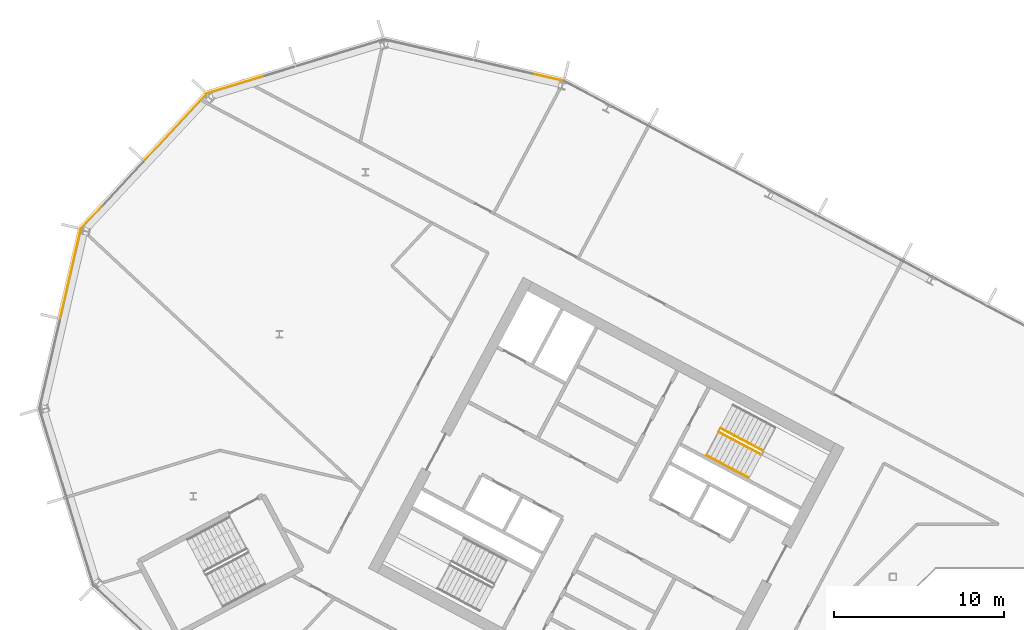
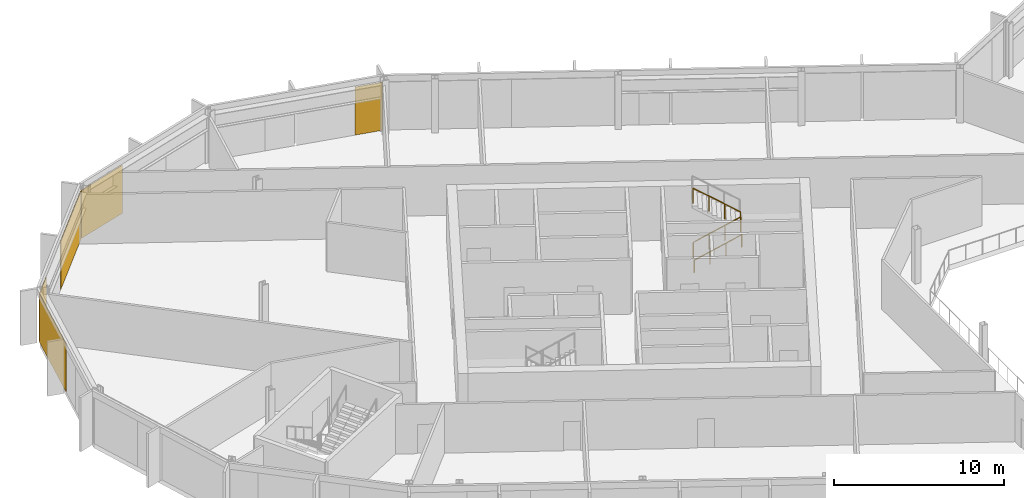
# One storey, part 21 of 26: 5 coverings, 3 railings, 4 elements without a shape of their own.
"""IFC4 building model written with IfcOpenShell, lengths in metres."""

from ifc_helpers import new_model, si_unit, direction, frame, origin, origin_2d, place, context, subcontext, project, spatial, polyline, rectangle, outline, extrude, material, layer, layer_set, type_object, element, aggregate, save


model = new_model("IFC4")

# Units and contexts
model_context = context("Model", 3, precision=1e-05, world=origin(), true_north=direction((0.0, 1.0)))
body_context = subcontext(model_context, "Body", "Model", "MODEL_VIEW")
ifc_project = project(units=[si_unit("LENGTHUNIT", "METRE"), si_unit("AREAUNIT", "SQUARE_METRE"), si_unit("VOLUMEUNIT", "CUBIC_METRE"), si_unit("PLANEANGLEUNIT", "RADIAN"), si_unit("MASSUNIT", "GRAM", prefix="KILO")], contexts=[model_context])

# Site, building, storey
site_placement = place(None, origin())
site = spatial("IfcSite", under=ifc_project, at=site_placement, CompositionType="ELEMENT")
building_placement = place(site_placement, origin())
building = spatial("IfcBuilding", under=site, at=building_placement, Name="Cormorant Relay Tower", CompositionType="ELEMENT")
storey_placement = place(building_placement, frame((0.0, 0.0, 228.60009765625)))
storey = spatial("IfcBuildingStorey", under=building, at=storey_placement, Name="L50", CompositionType="ELEMENT", Elevation=228.60009765625)

# Curtain wall, covering
ifc_material_1 = material(Name="Aluminium 6063-T6 anodised bronze", Category="aluminium")
ifc_layer_1 = layer(ifc_material_1, 0.199951171875)
ifc_layer_set_1 = layer_set([ifc_layer_1], Name="CW1 unitised bronze curtain wall with vertical fins")
curtain_wall_type = type_object("IfcCurtainWallType", Name="CW1 unitised bronze curtain wall with vertical fins", PredefinedType="NOTDEFINED", material=ifc_layer_set_1)
curtain_wall_1_placement = place(storey_placement, origin())
curtain_wall_1 = element("IfcCurtainWall", 1, at=curtain_wall_1_placement, inside=storey, type_object=curtain_wall_type, Name="CW1 curtain wall 10", PredefinedType="NOTDEFINED")
ifc_material_2 = material(Name="Pale bronze anodised aluminium insulated panel", Category="aluminium")
ifc_layer_2 = layer(ifc_material_2, 0.0400390625)
ifc_layer_set_2 = layer_set([ifc_layer_2], Name="CW1 pale bronze insulated panel 40")
covering_type = type_object("IfcCoveringType", Name="CW1 pale bronze insulated panel 40", PredefinedType="CLADDING", material=ifc_layer_set_2)
covering_1_placement = place(storey_placement, frame((-30.76318359375, 39.89404296875, 0.0), z_axis=(0.0, 0.0, 1.0), x_axis=(-0.974370064785, 0.224951054344, 0.0)))
covering_1 = element("IfcCovering", 2, at=covering_1_placement, type_object=covering_type, Name="CW1 panel S00", PredefinedType="CLADDING", context=body_context, shape_type="SweptSolid", body=[
    extrude(rectangle(XDim=1.685302734375, YDim=0.0400390625, at=origin_2d()), origin(), (0.0, 0.0, 1.0), 3.449951171875),
])
aggregate(curtain_wall_1, [covering_1])

curtain_wall_2_placement = place(storey_placement, origin())
curtain_wall_2 = element("IfcCurtainWall", 3, at=curtain_wall_2_placement, inside=storey, type_object=curtain_wall_type, Name="CW1 curtain wall 11", PredefinedType="NOTDEFINED")
covering_2_placement = place(storey_placement, frame((-49.16455078125, 39.474853515625, 0.0), z_axis=(0.0, 0.0, 1.0), x_axis=(-0.956304755963, -0.292371704723, 0.0)))
covering_2 = element("IfcCovering", 4, at=covering_2_placement, type_object=covering_type, Name="CW1 panel S03", PredefinedType="CLADDING", context=body_context, shape_type="SweptSolid", body=[
    extrude(rectangle(XDim=3.560302734375, YDim=0.0400390625, at=origin_2d()), origin(), (0.0, 0.0, 1.0), 3.449951171875),
])
aggregate(curtain_wall_2, [covering_2])

# Curtain wall, coverings
curtain_wall_3_placement = place(storey_placement, origin())
curtain_wall_3 = element("IfcCurtainWall", 5, at=curtain_wall_3_placement, inside=storey, type_object=curtain_wall_type, Name="CW1 curtain wall 12", PredefinedType="NOTDEFINED")
covering_3_placement = place(storey_placement, frame((-52.72900390625, 36.961181640625, 0.0), z_axis=(0.0, 0.0, 1.0), x_axis=(-0.681998360062, -0.731353701619, 0.0)))
covering_3 = element("IfcCovering", 6, at=covering_3_placement, type_object=covering_type, Name="CW1 panel S00", PredefinedType="CLADDING", context=body_context, shape_type="SweptSolid", body=[
    extrude(rectangle(XDim=5.28515625, YDim=0.0400390625, at=origin_2d()), origin(), (0.0, 0.0, 1.0), 3.449951171875),
])
covering_4_placement = place(storey_placement, frame((-57.68896484375, 31.642333984375, 0.0), z_axis=(0.0, 0.0, 1.0), x_axis=(-0.681998360062, -0.731353701619, 0.0)))
covering_4 = element("IfcCovering", 7, at=covering_4_placement, type_object=covering_type, Name="CW1 panel S02", PredefinedType="CLADDING", context=body_context, shape_type="SweptSolid", body=[
    extrude(rectangle(XDim=1.76025390625, YDim=0.0400390625, at=origin_2d()), origin(), (0.0, 0.0, 1.0), 3.449951171875),
])
aggregate(curtain_wall_3, [covering_3, covering_4])

# Curtain wall, covering
curtain_wall_4_placement = place(storey_placement, origin())
curtain_wall_4 = element("IfcCurtainWall", 8, at=curtain_wall_4_placement, inside=storey, type_object=curtain_wall_type, Name="CW1 curtain wall 13", PredefinedType="NOTDEFINED")
covering_5_placement = place(storey_placement, frame((-58.905517578125, 28.341796875, 0.0), z_axis=(0.0, 0.0, 1.0), x_axis=(-0.224951054344, -0.974370064785, 0.0)))
covering_5 = element("IfcCovering", 9, at=covering_5_placement, type_object=covering_type, Name="CW1 panel S00", PredefinedType="CLADDING", context=body_context, shape_type="SweptSolid", body=[
    extrude(rectangle(XDim=5.28515625, YDim=0.0400390625, at=origin_2d()), origin(), (0.0, 0.0, 1.0), 3.449951171875),
])
aggregate(curtain_wall_4, [covering_5])

# Railings
ifc_material_3 = material(Name="Steel ASTM A572 Grade 50 (Fy 345 MPa)", Category="steel")
railing_type_1 = type_object("IfcRailingType", Name="Stair guard 1100", PredefinedType="GUARDRAIL", material=ifc_material_3)
railing_1_placement = place(storey_placement, frame((-20.75048828125, 19.017822265625, 0.17724609375)))
element("IfcRailing", 10, at=railing_1_placement, inside=storey, type_object=railing_type_1, Name="L50 A1 stair guard 1", PredefinedType="GUARDRAIL", context=body_context, shape_type="SweptSolid", body=[
    extrude(outline(polyline([(0.022216796875, 0.00927734375), (0.00927734375, 0.022216796875), (-0.00927734375, 0.022216796875), (-0.022216796875, 0.00927734375), (-0.022216796875, -0.00927734375), (-0.00927734375, -0.022216796875), (0.00927734375, -0.022216796875), (0.022216796875, -0.00927734375), (0.022216796875, 0.00927734375)])), frame((0.0, 0.0, 1.076171875), z_axis=(0.746001213114, -0.396649272309, 0.534931345884), x_axis=(0.469465464807, 0.882950835185, 0.0)), (0.0, 0.0, 1.0), 3.31396484375),
    extrude(outline(polyline([(0.019287109375, 0.008056640625), (0.008056640625, 0.019287109375), (-0.008056640625, 0.019287109375), (-0.019287109375, 0.008056640625), (-0.019287109375, -0.008056640625), (-0.008056640625, -0.019287109375), (0.008056640625, -0.019287109375), (0.019287109375, -0.008056640625), (0.019287109375, 0.008056640625)])), origin(), (0.0, 0.0, 1.0), 1.052001953125),
    extrude(outline(polyline([(0.019287109375, 0.008056640625), (0.008056640625, 0.019287109375), (-0.008056640625, 0.019287109375), (-0.019287109375, 0.008056640625), (-0.019287109375, -0.008056640625), (-0.008056640625, -0.019287109375), (0.008056640625, -0.019287109375), (0.019287109375, -0.008056640625), (0.019287109375, 0.008056640625)])), frame((0.823974609375, -0.438232421875, 0.5908203125)), (0.0, 0.0, 1.0), 1.052001953125),
    extrude(outline(polyline([(0.019287109375, 0.008056640625), (0.008056640625, 0.019287109375), (-0.008056640625, 0.019287109375), (-0.019287109375, 0.008056640625), (-0.019287109375, -0.008056640625), (-0.008056640625, -0.019287109375), (0.008056640625, -0.019287109375), (0.019287109375, -0.008056640625), (0.019287109375, 0.008056640625)])), frame((1.648193359375, -0.876220703125, 1.181884765625)), (0.0, 0.0, 1.0), 1.052001953125),
    extrude(outline(polyline([(0.019287109375, 0.008056640625), (0.008056640625, 0.019287109375), (-0.008056640625, 0.019287109375), (-0.019287109375, 0.008056640625), (-0.019287109375, -0.008056640625), (-0.008056640625, -0.019287109375), (0.008056640625, -0.019287109375), (0.019287109375, -0.008056640625), (0.019287109375, 0.008056640625)])), frame((2.47216796875, -1.314453125, 1.772705078125)), (0.0, 0.0, 1.0), 1.052001953125),
])
railing_2_placement = place(storey_placement, frame((-18.160888671875, 17.924072265625, 2.127197265625)))
element("IfcRailing", 11, at=railing_2_placement, inside=storey, type_object=railing_type_1, Name="L50 A1 stair guard 3", PredefinedType="GUARDRAIL", context=body_context, shape_type="SweptSolid", body=[
    extrude(outline(polyline([(0.022216796875, 0.00927734375), (0.00927734375, 0.022216796875), (-0.00927734375, 0.022216796875), (-0.022216796875, 0.00927734375), (-0.022216796875, -0.00927734375), (-0.00927734375, -0.022216796875), (0.00927734375, -0.022216796875), (0.022216796875, -0.00927734375), (0.022216796875, 0.00927734375)])), frame((0.0, 0.0, 1.076171875), z_axis=(-0.746033882577, 0.396627473466, 0.534901947407), x_axis=(-0.469429322983, -0.882970050864, 0.0)), (0.0, 0.0, 1.0), 3.31396484375),
    extrude(outline(polyline([(0.019287109375, 0.008056640625), (0.008056640625, 0.019287109375), (-0.008056640625, 0.019287109375), (-0.019287109375, 0.008056640625), (-0.019287109375, -0.008056640625), (-0.008056640625, -0.019287109375), (0.008056640625, -0.019287109375), (0.019287109375, -0.008056640625), (0.019287109375, 0.008056640625)])), origin(), (0.0, 0.0, 1.0), 1.052001953125),
    extrude(outline(polyline([(0.019287109375, 0.008056640625), (0.008056640625, 0.019287109375), (-0.008056640625, 0.019287109375), (-0.019287109375, 0.008056640625), (-0.019287109375, -0.008056640625), (-0.008056640625, -0.019287109375), (0.008056640625, -0.019287109375), (0.019287109375, -0.008056640625), (0.019287109375, 0.008056640625)])), frame((-0.82421875, 0.438232421875, 0.5908203125)), (0.0, 0.0, 1.0), 1.052001953125),
    extrude(outline(polyline([(0.019287109375, 0.008056640625), (0.008056640625, 0.019287109375), (-0.008056640625, 0.019287109375), (-0.019287109375, 0.008056640625), (-0.019287109375, -0.008056640625), (-0.008056640625, -0.019287109375), (0.008056640625, -0.019287109375), (0.019287109375, -0.008056640625), (0.019287109375, 0.008056640625)])), frame((-1.648193359375, 0.876220703125, 1.181884765625)), (0.0, 0.0, 1.0), 1.052001953125),
    extrude(outline(polyline([(0.019287109375, 0.008056640625), (0.008056640625, 0.019287109375), (-0.008056640625, 0.019287109375), (-0.019287109375, 0.008056640625), (-0.019287109375, -0.008056640625), (-0.008056640625, -0.019287109375), (0.008056640625, -0.019287109375), (0.019287109375, -0.008056640625), (0.019287109375, 0.008056640625)])), frame((-2.472412109375, 1.314453125, 1.772705078125)), (0.0, 0.0, 1.0), 1.052001953125),
])
ifc_material_4 = material(Name="Steel ASTM A572 Grade 50 (Fy 345 MPa)", Category="steel")
railing_type_2 = type_object("IfcRailingType", Name="Stair handrail 900", PredefinedType="HANDRAIL", material=ifc_material_4)
railing_3_placement = place(storey_placement, frame((-21.478271484375, 17.6494140625, 0.17724609375)))
element("IfcRailing", 12, at=railing_3_placement, inside=storey, type_object=railing_type_2, Name="L50 A1 stair handrail 1", PredefinedType="HANDRAIL", context=body_context, shape_type="SweptSolid", body=[
    extrude(outline(polyline([(0.022216796875, 0.00927734375), (0.00927734375, 0.022216796875), (-0.00927734375, 0.022216796875), (-0.022216796875, 0.00927734375), (-0.022216796875, -0.00927734375), (-0.00927734375, -0.022216796875), (0.00927734375, -0.022216796875), (0.022216796875, -0.00927734375), (0.022216796875, 0.00927734375)])), frame((0.0, 0.0, 0.8759765625), z_axis=(0.746012083385, -0.396689549623, 0.534886317514), x_axis=(0.469497295046, 0.882933910293, 0.0)), (0.0, 0.0, 1.0), 3.314208984375),
    extrude(outline(polyline([(0.019287109375, 0.008056640625), (0.008056640625, 0.019287109375), (-0.008056640625, 0.019287109375), (-0.019287109375, 0.008056640625), (-0.019287109375, -0.008056640625), (-0.008056640625, -0.019287109375), (0.008056640625, -0.019287109375), (0.019287109375, -0.008056640625), (0.019287109375, 0.008056640625)])), origin(), (0.0, 0.0, 1.0), 0.851806640625),
    extrude(outline(polyline([(0.019287109375, 0.008056640625), (0.008056640625, 0.019287109375), (-0.008056640625, 0.019287109375), (-0.019287109375, 0.008056640625), (-0.019287109375, -0.008056640625), (-0.008056640625, -0.019287109375), (0.008056640625, -0.019287109375), (0.019287109375, -0.008056640625), (0.019287109375, 0.008056640625)])), frame((0.82421875, -0.438232421875, 0.5908203125)), (0.0, 0.0, 1.0), 0.851806640625),
    extrude(outline(polyline([(0.019287109375, 0.008056640625), (0.008056640625, 0.019287109375), (-0.008056640625, 0.019287109375), (-0.019287109375, 0.008056640625), (-0.019287109375, -0.008056640625), (-0.008056640625, -0.019287109375), (0.008056640625, -0.019287109375), (0.019287109375, -0.008056640625), (0.019287109375, 0.008056640625)])), frame((1.648193359375, -0.87646484375, 1.181884765625)), (0.0, 0.0, 1.0), 0.851806640625),
    extrude(outline(polyline([(0.019287109375, 0.008056640625), (0.008056640625, 0.019287109375), (-0.008056640625, 0.019287109375), (-0.019287109375, 0.008056640625), (-0.019287109375, -0.008056640625), (-0.008056640625, -0.019287109375), (0.008056640625, -0.019287109375), (0.019287109375, -0.008056640625), (0.019287109375, 0.008056640625)])), frame((2.472412109375, -1.314697265625, 1.772705078125)), (0.0, 0.0, 1.0), 0.851806640625),
])

save(model, "model.ifc")
